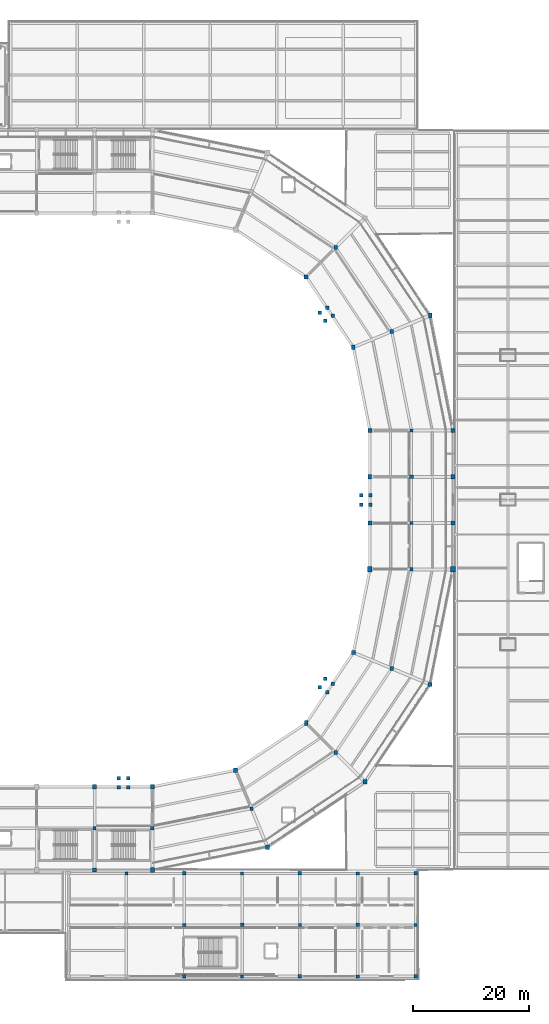
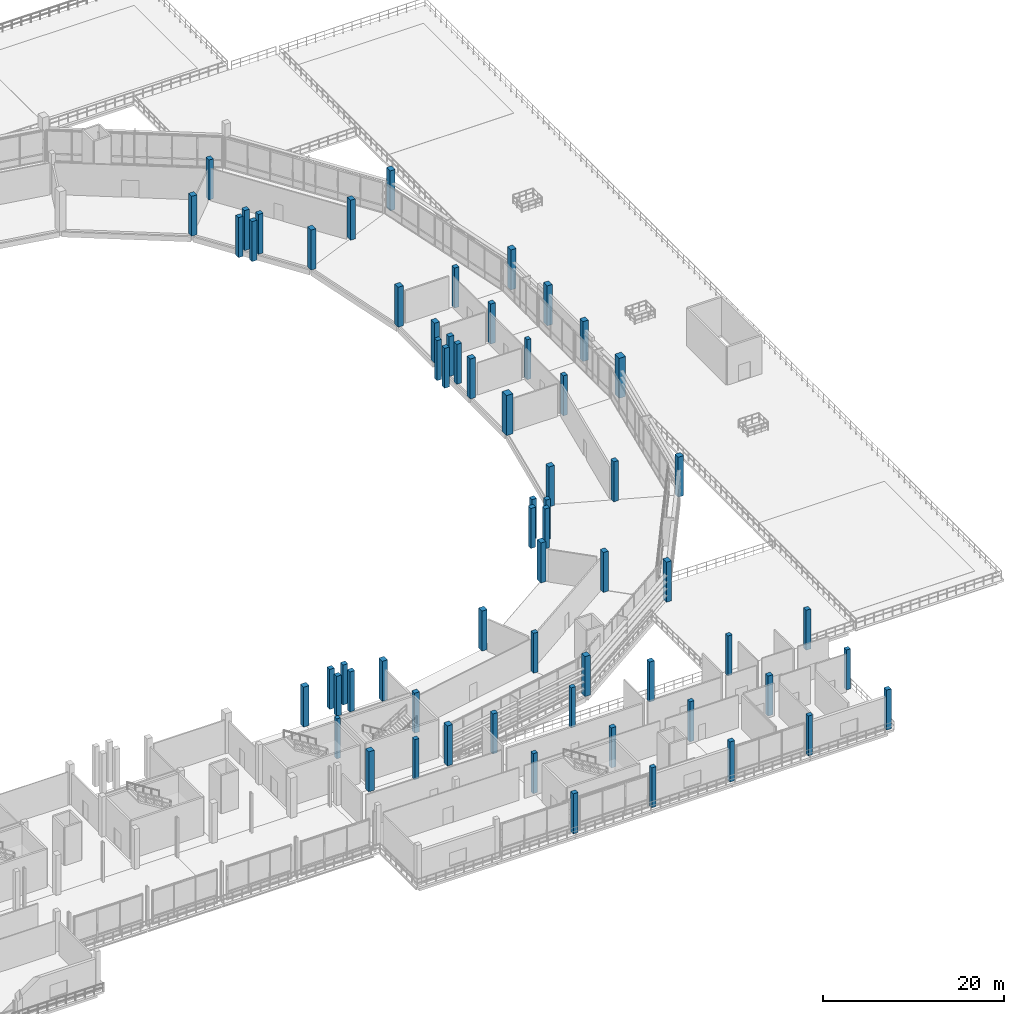
# One storey, part 5 of 111: 64 columns.
"""IFC4 building model written with IfcOpenShell, lengths in metres."""

from ifc_helpers import new_model, si_unit, direction, frame, origin, origin_2d, place, context, subcontext, project, spatial, rectangle, extrude, material, material_profile, profile_set, type_object, element, save


model = new_model("IFC4")

# Units and contexts
model_context = context("Model", 3, precision=1e-05, world=origin(), true_north=direction((0.0, 1.0)))
body_context = subcontext(model_context, "Body", "Model", "MODEL_VIEW")
ifc_project = project(units=[si_unit("LENGTHUNIT", "METRE"), si_unit("AREAUNIT", "SQUARE_METRE"), si_unit("VOLUMEUNIT", "CUBIC_METRE"), si_unit("PLANEANGLEUNIT", "RADIAN"), si_unit("MASSUNIT", "GRAM", prefix="KILO")], contexts=[model_context])

# Site, building, storey
site_placement = place(None, origin())
site = spatial("IfcSite", under=ifc_project, at=site_placement, CompositionType="ELEMENT")
building_placement = place(site_placement, origin())
building = spatial("IfcBuilding", under=site, at=building_placement, Name="Candeia Ridge Stadium", CompositionType="ELEMENT")
storey_placement = place(building_placement, frame((0.0, 0.0, 16.199951171875)))
storey = spatial("IfcBuildingStorey", under=building, at=storey_placement, Name="L03", CompositionType="ELEMENT", Elevation=16.199951171875)

# Columns
ifc_material_1 = material(Name="Concrete C40/50", Category="concrete")
ifc_material_profile_1 = material_profile(ifc_material_1, rectangle(XDim=0.47998046875, YDim=0.56005859375, at=origin_2d()), Name="RC480x560", Category="concrete")
ifc_profile_set_1 = profile_set([ifc_material_profile_1], Name="Concrete C40/50")
column_type_1 = type_object("IfcColumnType", Name="Graduated Frame Column RC480x560", PredefinedType="COLUMN", material=ifc_profile_set_1)
for number, where, z_axis, x_axis, name in (
    (1, (131.0, 26.199951171875, 0.0), (0.0, 0.0, 1.0), (1.0, 0.0, 0.0), "Structural column BC-M2-24 L03"),
    (2, (185.800048828125, 79.0, 0.0), (0.0, 0.0, 1.0), (1.0, 0.0, 0.0), "Structural column BC-M2-30 L03"),
):
    element("IfcColumn", number, at=place(storey_placement, frame(where, z_axis=z_axis, x_axis=x_axis)), inside=storey, type_object=column_type_1, Name=name, PredefinedType="COLUMN", context=body_context, shape_type="SweptSolid", body=[
        extrude(rectangle(XDim=0.47998046875, YDim=0.56005859375, at=origin_2d()), origin(), (0.0, 0.0, 1.0), 5.400146484375),
    ])
ifc_material_profile_2 = material_profile(ifc_material_1, rectangle(XDim=0.52001953125, YDim=0.6201171875, at=origin_2d()), Name="RC520x620", Category="concrete")
ifc_profile_set_2 = profile_set([ifc_material_profile_2], Name="Concrete C40/50")
column_type_2 = type_object("IfcColumnType", Name="Graduated Frame Column RC520x620", PredefinedType="COLUMN", material=ifc_profile_set_2)
column_placement = place(storey_placement, frame((185.800048828125, 71.0, 0.0), z_axis=(0.0, 0.0, 1.0), x_axis=(1.0, 0.0, 0.0)))
element("IfcColumn", 3, at=column_placement, inside=storey, type_object=column_type_2, Name="Structural column BC-M2-29 L03", PredefinedType="COLUMN", context=body_context, shape_type="SweptSolid", body=[
    extrude(rectangle(XDim=0.52001953125, YDim=0.6201171875, at=origin_2d()), origin(), (0.0, 0.0, 1.0), 5.400146484375),
])
ifc_material_profile_3 = material_profile(ifc_material_1, rectangle(XDim=0.580078125, YDim=0.580078125, at=origin_2d()), Name="RC580x580", Category="concrete")
ifc_profile_set_3 = profile_set([ifc_material_profile_3], Name="Concrete C40/50")
column_type_3 = type_object("IfcColumnType", Name="Graduated Frame Column RC580x580", PredefinedType="COLUMN", material=ifc_profile_set_3)
for number, where, z_axis, x_axis, name in (
    (4, (158.144287109375, 29.610107421875, 0.0), (0.0, 0.0, 1.0), (1.0, 0.0, 0.0), "Structural column BC-M2-26 L03"),
    (5, (185.800048828125, 95.0, 0.0), (0.0, 0.0, 1.0), (1.0, 0.0, 0.0), "Structural column BC-M2-32 L03"),
):
    element("IfcColumn", number, at=place(storey_placement, frame(where, z_axis=z_axis, x_axis=x_axis)), inside=storey, type_object=column_type_3, Name=name, PredefinedType="COLUMN", context=body_context, shape_type="SweptSolid", body=[
        extrude(rectangle(XDim=0.580078125, YDim=0.580078125, at=origin_2d()), origin(), (0.0, 0.0, 1.0), 5.400146484375),
    ])
ifc_material_profile_4 = material_profile(ifc_material_1, rectangle(XDim=0.580078125, YDim=0.679931640625, at=origin_2d()), Name="RC580x680", Category="concrete")
ifc_profile_set_4 = profile_set([ifc_material_profile_4], Name="Concrete C40/50")
column_type_4 = type_object("IfcColumnType", Name="Graduated Frame Column RC580x680", PredefinedType="COLUMN", material=ifc_profile_set_4)
for number, where, z_axis, x_axis, name in (
    (6, (182.389892578125, 53.855712890625, 0.0), (0.0, 0.0, 1.0), (1.0, 0.0, 0.0), "Structural column BC-M2-28 L03"),
    (7, (172.678466796875, 126.678466796875, 0.0), (0.0, 0.0, 1.0), (1.0, 0.0, 0.0), "Structural column BC-M2-34 L03"),
):
    element("IfcColumn", number, at=place(storey_placement, frame(where, z_axis=z_axis, x_axis=x_axis)), inside=storey, type_object=column_type_4, Name=name, PredefinedType="COLUMN", context=body_context, shape_type="SweptSolid", body=[
        extrude(rectangle(XDim=0.580078125, YDim=0.679931640625, at=origin_2d()), origin(), (0.0, 0.0, 1.0), 5.400146484375),
    ])
ifc_material_profile_5 = material_profile(ifc_material_1, rectangle(XDim=0.6201171875, YDim=0.6201171875, at=origin_2d()), Name="RC620x620", Category="concrete")
ifc_profile_set_5 = profile_set([ifc_material_profile_5], Name="Concrete C40/50")
column_type_5 = type_object("IfcColumnType", Name="Graduated Frame Column RC620x620", PredefinedType="COLUMN", material=ifc_profile_set_5)
for number, where, z_axis, x_axis, name in (
    (8, (141.0, 26.199951171875, 0.0), (0.0, 0.0, 1.0), (1.0, 0.0, 0.0), "Structural column BC-M2-25 L03"),
    (9, (185.800048828125, 87.0, 0.0), (0.0, 0.0, 1.0), (1.0, 0.0, 0.0), "Structural column BC-M2-31 L03"),
):
    element("IfcColumn", number, at=place(storey_placement, frame(where, z_axis=z_axis, x_axis=x_axis)), inside=storey, type_object=column_type_5, Name=name, PredefinedType="COLUMN", context=body_context, shape_type="SweptSolid", body=[
        extrude(rectangle(XDim=0.6201171875, YDim=0.6201171875, at=origin_2d()), origin(), (0.0, 0.0, 1.0), 5.400146484375),
    ])
ifc_material_profile_6 = material_profile(ifc_material_1, rectangle(XDim=0.6201171875, YDim=0.719970703125, at=origin_2d()), Name="RC620x720", Category="concrete")
ifc_profile_set_6 = profile_set([ifc_material_profile_6], Name="Concrete C40/50")
column_type_6 = type_object("IfcColumnType", Name="Graduated Frame Column RC620x720", PredefinedType="COLUMN", material=ifc_profile_set_6)
for number, where, z_axis, x_axis, name in (
    (10, (172.678466796875, 39.321533203125, 0.0), (0.0, 0.0, 1.0), (1.0, 0.0, 0.0), "Structural column BC-M2-27 L03"),
    (11, (182.389892578125, 112.144287109375, 0.0), (0.0, 0.0, 1.0), (1.0, 0.0, 0.0), "Structural column BC-M2-33 L03"),
):
    element("IfcColumn", number, at=place(storey_placement, frame(where, z_axis=z_axis, x_axis=x_axis)), inside=storey, type_object=column_type_6, Name=name, PredefinedType="COLUMN", context=body_context, shape_type="SweptSolid", body=[
        extrude(rectangle(XDim=0.6201171875, YDim=0.719970703125, at=origin_2d()), origin(), (0.0, 0.0, 1.0), 5.400146484375),
    ])
ifc_material_profile_7 = material_profile(ifc_material_1, rectangle(XDim=0.679931640625, YDim=0.760009765625, at=origin_2d()), Name="RC680x760", Category="concrete")
ifc_profile_set_7 = profile_set([ifc_material_profile_7], Name="Concrete C40/50")
column_type_7 = type_object("IfcColumnType", Name="Graduated Frame Column RC680x760", PredefinedType="COLUMN", material=ifc_profile_set_7)
for number, where, z_axis, x_axis, name in (
    (12, (155.388916015625, 36.26220703125, 0.0), (0.0, 0.0, 1.0), (1.0, 0.0, 0.0), "Structural column BC-MD-26 L03"),
    (13, (160.899658203125, 22.958251953125, 0.0), (0.0, 0.0, 1.0), (1.0, 0.0, 0.0), "Structural column BC-OU-26 L03"),
    (14, (178.60009765625, 95.0, 0.0), (0.0, 0.0, 1.0), (1.0, 0.0, 0.0), "Structural column BC-MD-32 L03"),
    (15, (193.0, 95.0, 0.0), (0.0, 0.0, 1.0), (1.0, 0.0, 0.0), "Structural column BC-OU-32 L03"),
):
    element("IfcColumn", number, at=place(storey_placement, frame(where, z_axis=z_axis, x_axis=x_axis)), inside=storey, type_object=column_type_7, Name=name, PredefinedType="COLUMN", context=body_context, shape_type="SweptSolid", body=[
        extrude(rectangle(XDim=0.679931640625, YDim=0.760009765625, at=origin_2d()), origin(), (0.0, 0.0, 1.0), 5.400146484375),
    ])
ifc_material_2 = material(Name="Concrete C45/55", Category="concrete")
ifc_material_profile_8 = material_profile(ifc_material_2, rectangle(XDim=0.820068359375, YDim=0.949951171875, at=origin_2d()), Name="RC820x950", Category="concrete")
ifc_profile_set_8 = profile_set([ifc_material_profile_8], Name="Concrete C45/55")
column_type_8 = type_object("IfcColumnType", Name="Graduated Frame Column RC820x950", PredefinedType="COLUMN", material=ifc_profile_set_8)
for number, where, z_axis, x_axis, name in (
    (16, (178.60009765625, 71.0, 0.0), (0.0, 0.0, 1.0), (1.0, 0.0, 0.0), "Structural column BC-MD-29 L03"),
    (17, (193.0, 71.0, 0.0), (0.0, 0.0, 1.0), (1.0, 0.0, 0.0), "Structural column BC-OU-29 L03"),
):
    element("IfcColumn", number, at=place(storey_placement, frame(where, z_axis=z_axis, x_axis=x_axis)), inside=storey, type_object=column_type_8, Name=name, PredefinedType="COLUMN", context=body_context, shape_type="SweptSolid", body=[
        extrude(rectangle(XDim=0.820068359375, YDim=0.949951171875, at=origin_2d()), origin(), (0.0, 0.0, 1.0), 5.400146484375),
    ])
ifc_material_profile_9 = material_profile(ifc_material_1, rectangle(XDim=0.550048828125, YDim=0.550048828125, at=origin_2d()), Name="RC550x550", Category="concrete")
ifc_profile_set_9 = profile_set([ifc_material_profile_9], Name="Concrete C40/50")
column_type_9 = type_object("IfcColumnType", Name="Reinforced Concrete Column RC550x550", PredefinedType="COLUMN", material=ifc_profile_set_9)
for number, where, z_axis, x_axis, name in (
    (18, (136.5, 18.39990234375, 0.0), (0.0, 0.0, 1.0), (1.0, 0.0, 0.0), "Structural column SWE-01-02 L03"),
    (19, (146.5, 9.5, 0.0), (0.0, 0.0, 1.0), (1.0, 0.0, 0.0), "Structural column SWE-02-01 L03"),
    (20, (156.5, 0.60009765625, 0.0), (0.0, 0.0, 1.0), (1.0, 0.0, 0.0), "Structural column SWE-03-00 L03"),
    (21, (156.5, 18.39990234375, 0.0), (0.0, 0.0, 1.0), (1.0, 0.0, 0.0), "Structural column SWE-03-02 L03"),
    (22, (166.5, 9.5, 0.0), (0.0, 0.0, 1.0), (1.0, 0.0, 0.0), "Structural column SWE-04-01 L03"),
    (23, (176.5, 0.60009765625, 0.0), (0.0, 0.0, 1.0), (1.0, 0.0, 0.0), "Structural column SWE-05-00 L03"),
    (24, (176.5, 18.39990234375, 0.0), (0.0, 0.0, 1.0), (1.0, 0.0, 0.0), "Structural column SWE-05-02 L03"),
    (25, (186.5, 9.5, 0.0), (0.0, 0.0, 1.0), (1.0, 0.0, 0.0), "Structural column SWE-06-01 L03"),
):
    element("IfcColumn", number, at=place(storey_placement, frame(where, z_axis=z_axis, x_axis=x_axis)), inside=storey, type_object=column_type_9, Name=name, PredefinedType="COLUMN", context=body_context, shape_type="SweptSolid", body=[
        extrude(rectangle(XDim=0.550048828125, YDim=0.550048828125, at=origin_2d()), origin(), (0.0, 0.0, 1.0), 5.400146484375),
    ])
ifc_material_profile_10 = material_profile(ifc_material_1, rectangle(XDim=0.64990234375, YDim=0.800048828125, at=origin_2d()), Name="RC650x800", Category="concrete")
ifc_profile_set_10 = profile_set([ifc_material_profile_10], Name="Concrete C40/50")
column_type_10 = type_object("IfcColumnType", Name="Reinforced Concrete Column RC650x800", PredefinedType="COLUMN", material=ifc_profile_set_10)
for number, where, z_axis, x_axis, name in (
    (26, (141.0, 33.39990234375, 0.0), (0.0, 0.0, 1.0), (1.0, 0.0, 0.0), "Structural column BC-MD-25 L03"),
    (27, (141.0, 19.0, 0.0), (0.0, 0.0, 1.0), (1.0, 0.0, 0.0), "Structural column BC-OU-25 L03"),
    (28, (167.587158203125, 44.412841796875, 0.0), (0.0, 0.0, 1.0), (1.0, 0.0, 0.0), "Structural column BC-MD-27 L03"),
    (29, (177.76953125, 34.23046875, 0.0), (0.0, 0.0, 1.0), (1.0, 0.0, 0.0), "Structural column BC-OU-27 L03"),
    (30, (178.60009765625, 87.0, 0.0), (0.0, 0.0, 1.0), (1.0, 0.0, 0.0), "Structural column BC-MD-31 L03"),
    (31, (193.0, 87.0, 0.0), (0.0, 0.0, 1.0), (1.0, 0.0, 0.0), "Structural column BC-OU-31 L03"),
    (32, (175.73779296875, 109.388916015625, 0.0), (0.0, 0.0, 1.0), (1.0, 0.0, 0.0), "Structural column BC-MD-33 L03"),
    (33, (189.041748046875, 114.899658203125, 0.0), (0.0, 0.0, 1.0), (1.0, 0.0, 0.0), "Structural column BC-OU-33 L03"),
):
    element("IfcColumn", number, at=place(storey_placement, frame(where, z_axis=z_axis, x_axis=x_axis)), inside=storey, type_object=column_type_10, Name=name, PredefinedType="COLUMN", context=body_context, shape_type="SweptSolid", body=[
        extrude(rectangle(XDim=0.64990234375, YDim=0.800048828125, at=origin_2d()), origin(), (0.0, 0.0, 1.0), 5.400146484375),
    ])
ifc_material_profile_11 = material_profile(ifc_material_1, rectangle(XDim=0.60009765625, YDim=0.60009765625, at=origin_2d()), Name="RC600x600", Category="concrete")
ifc_profile_set_11 = profile_set([ifc_material_profile_11], Name="Concrete C40/50")
column_type_11 = type_object("IfcColumnType", Name="Wing Column RC600x600", PredefinedType="COLUMN", material=ifc_profile_set_11)
for number, where, z_axis, x_axis, name in (
    (34, (146.5, 0.60009765625, 0.0), (0.0, 0.0, 1.0), (1.0, 0.0, 0.0), "Structural column SWE-02-00 L03"),
    (35, (146.5, 18.39990234375, 0.0), (0.0, 0.0, 1.0), (1.0, 0.0, 0.0), "Structural column SWE-02-02 L03"),
    (36, (156.5, 9.5, 0.0), (0.0, 0.0, 1.0), (1.0, 0.0, 0.0), "Structural column SWE-03-01 L03"),
    (37, (166.5, 0.60009765625, 0.0), (0.0, 0.0, 1.0), (1.0, 0.0, 0.0), "Structural column SWE-04-00 L03"),
    (38, (166.5, 18.39990234375, 0.0), (0.0, 0.0, 1.0), (1.0, 0.0, 0.0), "Structural column SWE-04-02 L03"),
    (39, (176.5, 9.5, 0.0), (0.0, 0.0, 1.0), (1.0, 0.0, 0.0), "Structural column SWE-05-01 L03"),
    (40, (186.5, 0.60009765625, 0.0), (0.0, 0.0, 1.0), (1.0, 0.0, 0.0), "Structural column SWE-06-00 L03"),
    (41, (186.5, 18.39990234375, 0.0), (0.0, 0.0, 1.0), (1.0, 0.0, 0.0), "Structural column SWE-06-02 L03"),
    (42, (136.85009765625, 33.318115234375, 0.0), (0.0, 0.0, 1.0), (1.0, 0.0, 0.0), "Vomitory VS33 landing support column 1 L03"),
    (43, (136.85009765625, 34.867919921875, 0.0), (0.0, 0.0, 1.0), (1.0, 0.0, 0.0), "Vomitory VS33 landing support column 2 L03"),
    (44, (135.14990234375, 34.867919921875, 0.0), (0.0, 0.0, 1.0), (1.0, 0.0, 0.0), "Vomitory VS33 landing support column 3 L03"),
    (45, (135.14990234375, 33.318115234375, 0.0), (0.0, 0.0, 1.0), (1.0, 0.0, 0.0), "Vomitory VS33 landing support column 4 L03"),
    (46, (172.196044921875, 51.177734375, 0.0), (0.0, 0.0, 1.0), (1.0, 0.0, 0.0), "Vomitory VS34 landing support column 1 L03"),
    (47, (170.9072265625, 52.038818359375, 0.0), (0.0, 0.0, 1.0), (1.0, 0.0, 0.0), "Vomitory VS34 landing support column 2 L03"),
    (48, (169.962890625, 50.62548828125, 0.0), (0.0, 0.0, 1.0), (1.0, 0.0, 0.0), "Vomitory VS34 landing support column 3 L03"),
    (49, (171.251708984375, 49.76416015625, 0.0), (0.0, 0.0, 1.0), (1.0, 0.0, 0.0), "Vomitory VS34 landing support column 4 L03"),
    (50, (178.681884765625, 83.85009765625, 0.0), (0.0, 0.0, 1.0), (1.0, 0.0, 0.0), "Vomitory VS35 landing support column 1 L03"),
    (51, (177.132080078125, 83.85009765625, 0.0), (0.0, 0.0, 1.0), (1.0, 0.0, 0.0), "Vomitory VS35 landing support column 2 L03"),
    (52, (177.132080078125, 82.14990234375, 0.0), (0.0, 0.0, 1.0), (1.0, 0.0, 0.0), "Vomitory VS35 landing support column 3 L03"),
    (53, (178.681884765625, 82.14990234375, 0.0), (0.0, 0.0, 1.0), (1.0, 0.0, 0.0), "Vomitory VS35 landing support column 4 L03"),
    (54, (171.251708984375, 116.23583984375, 0.0), (0.0, 0.0, 1.0), (1.0, 0.0, 0.0), "Vomitory VS36 landing support column 1 L03"),
    (55, (169.962890625, 115.37451171875, 0.0), (0.0, 0.0, 1.0), (1.0, 0.0, 0.0), "Vomitory VS36 landing support column 2 L03"),
    (56, (170.9072265625, 113.961181640625, 0.0), (0.0, 0.0, 1.0), (1.0, 0.0, 0.0), "Vomitory VS36 landing support column 3 L03"),
    (57, (172.196044921875, 114.822265625, 0.0), (0.0, 0.0, 1.0), (1.0, 0.0, 0.0), "Vomitory VS36 landing support column 4 L03"),
):
    element("IfcColumn", number, at=place(storey_placement, frame(where, z_axis=z_axis, x_axis=x_axis)), inside=storey, type_object=column_type_11, Name=name, PredefinedType="COLUMN", context=body_context, shape_type="SweptSolid", body=[
        extrude(rectangle(XDim=0.60009765625, YDim=0.60009765625, at=origin_2d()), origin(), (0.0, 0.0, 1.0), 5.400146484375),
    ])
ifc_material_profile_12 = material_profile(ifc_material_1, rectangle(XDim=0.699951171875, YDim=0.699951171875, at=origin_2d()), Name="RC700x700", Category="concrete")
ifc_profile_set_12 = profile_set([ifc_material_profile_12], Name="Concrete C40/50")
column_type_12 = type_object("IfcColumnType", Name="Wing Column RC700x700", PredefinedType="COLUMN", material=ifc_profile_set_12)
for number, where, z_axis, x_axis, name in (
    (58, (131.0, 33.39990234375, 0.0), (0.0, 0.0, 1.0), (1.0, 0.0, 0.0), "Structural column BC-MD-24 L03"),
    (59, (131.0, 19.0, 0.0), (0.0, 0.0, 1.0), (1.0, 0.0, 0.0), "Structural column BC-OU-24 L03"),
    (60, (175.73779296875, 56.611083984375, 0.0), (0.0, 0.0, 1.0), (1.0, 0.0, 0.0), "Structural column BC-MD-28 L03"),
    (61, (189.041748046875, 51.100341796875, 0.0), (0.0, 0.0, 1.0), (1.0, 0.0, 0.0), "Structural column BC-OU-28 L03"),
    (62, (178.60009765625, 79.0, 0.0), (0.0, 0.0, 1.0), (1.0, 0.0, 0.0), "Structural column BC-MD-30 L03"),
    (63, (193.0, 79.0, 0.0), (0.0, 0.0, 1.0), (1.0, 0.0, 0.0), "Structural column BC-OU-30 L03"),
    (64, (167.587158203125, 121.587158203125, 0.0), (0.0, 0.0, 1.0), (1.0, 0.0, 0.0), "Structural column BC-MD-34 L03"),
):
    element("IfcColumn", number, at=place(storey_placement, frame(where, z_axis=z_axis, x_axis=x_axis)), inside=storey, type_object=column_type_12, Name=name, PredefinedType="COLUMN", context=body_context, shape_type="SweptSolid", body=[
        extrude(rectangle(XDim=0.699951171875, YDim=0.699951171875, at=origin_2d()), origin(), (0.0, 0.0, 1.0), 5.400146484375),
    ])

save(model, "model.ifc")
